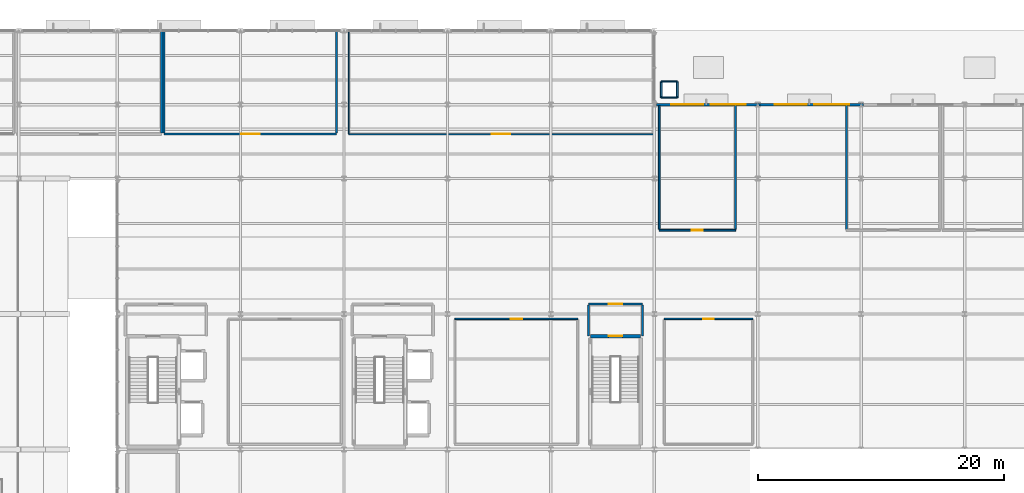
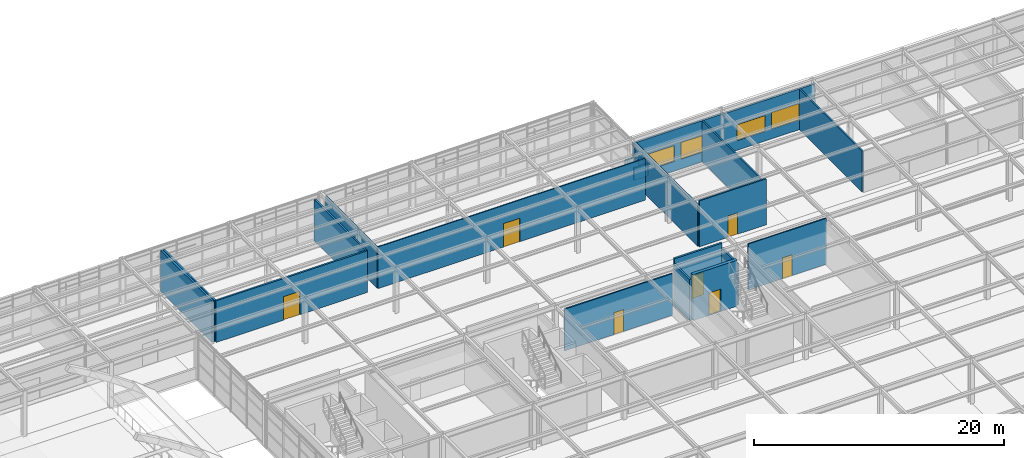
# One storey, part 66 of 82: 22 walls, 7 doors, 4 windows, 11 openings.
"""IFC4 building model written with IfcOpenShell, lengths in metres."""

import ifcopenshell
import ifcopenshell.guid

model = None  # the IFC model being written
_history = None  # IfcOwnerHistory: only IFC2X3 demands one
_inside = {}  # id of a spatial element -> (the spatial element, [elements in it])
_under = {}  # id of a project, library or spatial element -> (it, [spatial elements below it])
_declared = {}  # id of a project -> (the project, [libraries it declares])
_typed = {}  # id of a type object -> (the type object, [elements of that type])
_made_of = {}  # id of a material, layer set ... -> (it, [elements and type objects made of it])


def new_model(schema):
    """Start an empty IFC model of exactly this schema.

    Asked for "IFC4X3", IfcOpenShell would pick the latest addendum, in which some entities
    have other attributes; the version numbers below select the first issue.
    IFC2X3 requires an IfcOwnerHistory on every rooted entity: one is made here for all.
    """
    global model, _history
    if schema == "IFC4X3":
        model = ifcopenshell.file(schema_version=(4, 3, 0, 0))
    else:
        model = ifcopenshell.file(schema=schema)
    _inside.clear()
    _under.clear()
    _declared.clear()
    _typed.clear()
    _made_of.clear()
    _history = None
    if model.schema == "IFC2X3":
        org = make("IfcOrganization", Name="unknown")
        user = make(
            "IfcPersonAndOrganization",
            ThePerson=make("IfcPerson", FamilyName="unknown"),
            TheOrganization=org,
        )
        app = make(
            "IfcApplication",
            ApplicationDeveloper=org,
            Version="unknown",
            ApplicationFullName="unknown",
            ApplicationIdentifier="unknown",
        )
        _history = make(
            "IfcOwnerHistory",
            OwningUser=user,
            OwningApplication=app,
            ChangeAction="ADDED",
            CreationDate=0,
        )
    return model


def make(cls, **values):
    """One entity of the class cls with the attributes given. An attribute that is None is left unset."""
    return model.create_entity(
        cls, **{name: value for name, value in values.items() if value is not None}
    )


def rooted(cls, **values):
    """An entity with a GlobalId (a new one), such as an element, a storey or a relation."""
    return make(cls, GlobalId=ifcopenshell.guid.new(), OwnerHistory=_history, **values)


def si_unit(unit_type, name, prefix=None):
    """IfcSIUnit, for example si_unit("LENGTHUNIT", "METRE", prefix="MILLI")."""
    return make("IfcSIUnit", UnitType=unit_type, Prefix=prefix, Name=name)


def assignment(units):
    """IfcUnitAssignment: the units of a project."""
    return None if units is None else make("IfcUnitAssignment", Units=units)


def point(xyz):
    """IfcCartesianPoint."""
    return None if xyz is None else make("IfcCartesianPoint", Coordinates=xyz)


def direction(xyz):
    """IfcDirection."""
    return None if xyz is None else make("IfcDirection", DirectionRatios=xyz)


def frame(location, z_axis=None, x_axis=None):
    """IfcAxis2Placement3D, a coordinate frame: its origin and axes. An axis left out is left unset."""
    return make(
        "IfcAxis2Placement3D",
        Location=point(location),
        Axis=direction(z_axis),
        RefDirection=direction(x_axis),
    )


def frame_2d(location, x_axis=None):
    """IfcAxis2Placement2D, a coordinate frame in the plane: its origin and x axis."""
    return make(
        "IfcAxis2Placement2D", Location=point(location), RefDirection=direction(x_axis)
    )


def origin():
    """The frame at (0, 0, 0) with its axes left unset."""
    return frame((0.0, 0.0, 0.0))


def place(relative_to, where):
    """IfcLocalPlacement: puts the frame where relative to a parent placement (None: the world)."""
    return make(
        "IfcLocalPlacement", PlacementRelTo=relative_to, RelativePlacement=where
    )


def context(
    kind, dimensions, precision=None, world=None, true_north=None, identifier=None
):
    """IfcGeometricRepresentationContext, for example the 3D "Model" context."""
    return make(
        "IfcGeometricRepresentationContext",
        ContextIdentifier=identifier,
        ContextType=kind,
        CoordinateSpaceDimension=dimensions,
        Precision=precision,
        WorldCoordinateSystem=world,
        TrueNorth=true_north,
    )


def subcontext(parent, identifier, kind, view, scale=None):
    """IfcGeometricRepresentationSubContext, for example "Body" below "Model"."""
    return make(
        "IfcGeometricRepresentationSubContext",
        ContextIdentifier=identifier,
        ContextType=kind,
        ParentContext=parent,
        TargetScale=scale,
        TargetView=view,
    )


def project(units=None, contexts=None):
    """IfcProject with its units and contexts."""
    return rooted(
        "IfcProject",
        Name="project",
        RepresentationContexts=contexts,
        UnitsInContext=assignment(units),
    )


def spatial(cls, under=None, at=None, **own):
    """A site, building, storey or space (cls), placed at a placement, below another one or the project."""
    s = rooted(cls, ObjectPlacement=at, **own)
    if under is not None:
        _under.setdefault(under.id(), (under, []))[1].append(s)
    return s


def profile(cls, at=None, kind="AREA", **sizes):
    """A parametric profile (cls). Its sizes go by their IFC names, for example OverallWidth=200.0."""
    return make(cls, ProfileType=kind, Position=at, **sizes)


def rectangle(**sizes):
    """IfcRectangleProfileDef."""
    return profile("IfcRectangleProfileDef", **sizes)


def extrude(swept, where, along, depth):
    """IfcExtrudedAreaSolid: the profile swept, set in the frame where, extruded along a direction by depth."""
    return make(
        "IfcExtrudedAreaSolid",
        SweptArea=swept,
        Position=where,
        ExtrudedDirection=direction(along),
        Depth=depth,
    )


def shape(context_of_items, identifier, shape_type, items):
    """IfcShapeRepresentation: the items that make up one representation, for example the "Body"."""
    return make(
        "IfcShapeRepresentation",
        ContextOfItems=context_of_items,
        RepresentationIdentifier=identifier,
        RepresentationType=shape_type,
        Items=items,
    )


def material(Name=None, Category=None):
    """IfcMaterial."""
    return make("IfcMaterial", Name=Name, Category=Category)


def layer(
    of_material, thickness, ventilated=None, Name=None, Category=None, Priority=None
):
    """IfcMaterialLayer: one layer of a wall or slab, of a material (None: an air gap)."""
    return make(
        "IfcMaterialLayer",
        Material=of_material,
        LayerThickness=thickness,
        IsVentilated=ventilated,
        Name=Name,
        Category=Category,
        Priority=Priority,
    )


def layer_set(layers, Name=None):
    """IfcMaterialLayerSet."""
    return make("IfcMaterialLayerSet", MaterialLayers=layers, LayerSetName=Name)


def made_of(thing, what):
    """Note that an element or type object is made of a material, layer set ...; save() writes the relation."""
    if what is not None:
        _made_of.setdefault(what.id(), (what, []))[1].append(thing)
    return thing


def type_object(cls, material=None, **own):
    """A type object (cls), such as IfcWallType, which elements share."""
    return made_of(rooted(cls, **own), material)


def element(
    cls,
    number,
    at=None,
    inside=None,
    cuts=None,
    type_object=None,
    material=None,
    context=None,
    identifier="Body",
    shape_type=None,
    held_by="IfcProductDefinitionShape",
    body=None,
    shapes=None,
    **own,
):
    """One element of the class cls, such as IfcWall. Its Tag is "e" and its number.

    at: its placement. inside: the storey or other place that contains it. cuts: it is an
    opening in that element (IfcRelVoidsElement). A single representation is given by context,
    identifier, shape_type and body (its items); several are given by shapes. held_by: the class
    of the entity that holds the representations. save() writes the other relations.
    """
    e = rooted(cls, Tag="e%d" % number, ObjectPlacement=at, **own)
    if body is not None:
        shapes = [shape(context, identifier, shape_type, body)]
    if shapes is not None:
        e.Representation = make(held_by, Representations=shapes)
    if inside is not None:
        _inside.setdefault(inside.id(), (inside, []))[1].append(e)
    if cuts is not None:
        rooted(
            "IfcRelVoidsElement", RelatingBuildingElement=cuts, RelatedOpeningElement=e
        )
    if type_object is not None:
        _typed.setdefault(type_object.id(), (type_object, []))[1].append(e)
    return made_of(e, material)


def fill(opening, filler):
    """IfcRelFillsElement: the door or window that sits in an opening."""
    return rooted(
        "IfcRelFillsElement",
        RelatingOpeningElement=opening,
        RelatedBuildingElement=filler,
    )


def aggregate(whole, parts):
    """IfcRelAggregates: a whole, such as a stair, and the parts it consists of."""
    return rooted("IfcRelAggregates", RelatingObject=whole, RelatedObjects=parts)


def save(model, path):
    """Write the relations noted so far, then the file.

    IfcRelAggregates (storeys below a building ...), IfcRelContainedInSpatialStructure (elements
    in a storey), IfcRelDefinesByType, IfcRelAssociatesMaterial and IfcRelDeclares: one each for
    every whole, place, type object, material and project.
    """
    for whole, parts in _under.values():
        aggregate(whole, parts)
    for where, things in _inside.values():
        rooted(
            "IfcRelContainedInSpatialStructure",
            RelatedElements=things,
            RelatingStructure=where,
        )
    for kind, things in _typed.values():
        rooted("IfcRelDefinesByType", RelatedObjects=things, RelatingType=kind)
    for what, things in _made_of.values():
        rooted("IfcRelAssociatesMaterial", RelatedObjects=things, RelatingMaterial=what)
    for by, libraries in _declared.values():
        rooted("IfcRelDeclares", RelatingContext=by, RelatedDefinitions=libraries)
    model.write(path)


model = new_model("IFC4")

# Units and contexts
model_context = context("Model", 3, precision=1e-05, world=origin(), true_north=direction((0.0, 1.0)))
body_context = subcontext(model_context, "Body", "Model", "MODEL_VIEW")
ifc_project = project(units=[si_unit("LENGTHUNIT", "METRE"), si_unit("AREAUNIT", "SQUARE_METRE"), si_unit("VOLUMEUNIT", "CUBIC_METRE"), si_unit("PLANEANGLEUNIT", "RADIAN"), si_unit("MASSUNIT", "GRAM", prefix="KILO")], contexts=[model_context])

# Site, building, storey
site_placement = place(None, origin())
site = spatial("IfcSite", under=ifc_project, at=site_placement, CompositionType="ELEMENT")
building_placement = place(site_placement, origin())
building = spatial("IfcBuilding", under=site, at=building_placement, Name="Sitalva Quay Ferry Terminal", CompositionType="ELEMENT")
storey_placement = place(building_placement, frame((0.0, 0.0, 5.39990234375)))
storey = spatial("IfcBuildingStorey", under=building, at=storey_placement, Name="L02", CompositionType="ELEMENT", Elevation=5.39990234375)

# Wall, opening, door
ifc_material_1 = material(Name="Concrete C40/50", Category="concrete")
ifc_layer_1 = layer(ifc_material_1, 0.300048828125)
ifc_layer_set_1 = layer_set([ifc_layer_1], Name="Concrete C40/50")
wall_type_1 = type_object("IfcWallType", Name="Wall_CoreShear_300", PredefinedType="SHEAR", material=ifc_layer_set_1)
wall_1_placement = place(storey_placement, frame((112.39990234375, 87.199951171875, 0.0), z_axis=(0.0, 0.0, 1.0), x_axis=(1.0, 0.0, 0.0)))
wall_1 = element("IfcWall", 1, at=wall_1_placement, inside=storey, type_object=wall_type_1, Name="Core C4 L02 north shear wall", PredefinedType="SHEAR", context=body_context, shape_type="SweptSolid", body=[
    extrude(rectangle(XDim=4.10009765625, YDim=0.300048828125, at=frame_2d((2.050048828125, 0.0))), origin(), (0.0, 0.0, 1.0), 4.5),
])
opening_1_placement = place(wall_1_placement, frame((1.5, 0.0, 0.0)))
opening_1 = element("IfcOpeningElement", 2, at=opening_1_placement, cuts=wall_1, Name="Opening D-L02-012", PredefinedType="OPENING", context=body_context, shape_type="SweptSolid", body=[
    extrude(rectangle(XDim=1.10009765625, YDim=2.199951171875, at=frame_2d((0.550048828125, 1.10009765625))), frame((0.0, 0.159912109375, 0.0), z_axis=(0.0, -1.0, 0.0), x_axis=(1.0, 0.0, 0.0)), (0.0, 0.0, 1.0), 0.320068359375),
])
ifc_material_2 = material(Name="Galvanised Steel Fire Door", Category="steel")
door_type_1 = type_object("IfcDoorType", Name="Door_CoreExit_1100x2200", OperationType="SINGLE_SWING_LEFT", PredefinedType="DOOR", material=ifc_material_2)
door_1_placement = place(opening_1_placement, origin())
door_1 = element("IfcDoor", 3, at=door_1_placement, inside=storey, type_object=door_type_1, Name="DOOR-D-L02-012 Protected stair ST-04 door D-L02-012", OperationType="SINGLE_SWING_RIGHT", OverallHeight=2.199951171875, OverallWidth=1.10009765625, PredefinedType="DOOR", context=body_context, shape_type="SweptSolid", body=[
    extrude(rectangle(XDim=1.10009765625, YDim=2.199951171875, at=frame_2d((0.550048828125, 1.10009765625))), frame((0.0, 0.02490234375, 0.0), z_axis=(0.0, -1.0, 0.0), x_axis=(1.0, 0.0, 0.0)), (0.0, 0.0, 1.0), 0.050048828125),
])
fill(opening_1, door_1)

# Wall, openings, windows
ifc_material_3 = material(Name="Architectural Concrete C40/50", Category="concrete")
ifc_layer_2 = layer(ifc_material_3, 0.18994140625)
ifc_layer_set_2 = layer_set([ifc_layer_2], Name="Architectural Concrete C40/50")
wall_type_2 = type_object("IfcWallType", Name="Wall_ExtSpandrel_190", PredefinedType="SOLIDWALL", material=ifc_layer_set_2)
wall_2_placement = place(storey_placement, frame((117.76953125, 106.0, 0.0), z_axis=(0.0, 0.0, 1.0), x_axis=(1.0, 0.0, 0.0)))
wall_2 = element("IfcWall", 4, at=wall_2_placement, inside=storey, type_object=wall_type_2, Name="L02 north-east horizontal ribbon facade EW-L02-168", PredefinedType="SOLIDWALL", context=body_context, shape_type="SweptSolid", body=[
    extrude(rectangle(XDim=8.411865234375, YDim=0.18994140625, at=frame_2d((4.2060546875, 0.0))), origin(), (0.0, 0.0, 1.0), 4.0380859375),
])
opening_2_placement = place(wall_2_placement, frame((1.21044921875, 0.0, 0.949951171875)))
opening_2 = element("IfcOpeningElement", 5, at=opening_2_placement, cuts=wall_2, Name="Opening WN-L02-044", PredefinedType="OPENING", context=body_context, shape_type="SweptSolid", body=[
    extrude(rectangle(XDim=2.60009765625, YDim=1.550048828125, at=frame_2d((1.300048828125, 0.77490234375))), frame((0.0, 0.10498046875, 0.0), z_axis=(0.0, -1.0, 0.0), x_axis=(1.0, 0.0, 0.0)), (0.0, 0.0, 1.0), 0.2099609375),
])
opening_3_placement = place(wall_2_placement, frame((4.410400390625, 0.0, 0.949951171875)))
opening_3 = element("IfcOpeningElement", 6, at=opening_3_placement, cuts=wall_2, Name="Opening WN-L02-045", PredefinedType="OPENING", context=body_context, shape_type="SweptSolid", body=[
    extrude(rectangle(XDim=2.85009765625, YDim=1.6201171875, at=frame_2d((1.425048828125, 0.81005859375))), frame((0.0, 0.10498046875, 0.0), z_axis=(0.0, -1.0, 0.0), x_axis=(1.0, 0.0, 0.0)), (0.0, 0.0, 1.0), 0.2099609375),
])
ifc_material_4 = material(Name="Anodised Aluminium & Low-E Glass", Category="aluminium")
window_type_1 = type_object("IfcWindowType", Name="Win_Admin_2600x1550", PartitioningType="SINGLE_PANEL", PredefinedType="WINDOW", material=ifc_material_4)
window_1_placement = place(opening_2_placement, origin())
window_1 = element("IfcWindow", 7, at=window_1_placement, inside=storey, type_object=window_type_1, Name="L02 north-east ribbon window A WN-L02-044", OverallHeight=1.550048828125, OverallWidth=2.60009765625, PartitioningType="SINGLE_PANEL", PredefinedType="WINDOW", context=body_context, shape_type="SweptSolid", body=[
    extrude(rectangle(XDim=2.60009765625, YDim=1.550048828125, at=frame_2d((1.300048828125, 0.77490234375))), frame((0.0, 0.030029296875, 0.0), z_axis=(0.0, -1.0, 0.0), x_axis=(1.0, 0.0, 0.0)), (0.0, 0.0, 1.0), 0.06005859375),
])
fill(opening_2, window_1)
ifc_material_5 = material(Name="Anodised Aluminium & Low-E Glass", Category="aluminium")
window_type_2 = type_object("IfcWindowType", Name="Win_RibbonD_2850x1620", PartitioningType="SINGLE_PANEL", PredefinedType="WINDOW", material=ifc_material_5)
window_2_placement = place(opening_3_placement, origin())
window_2 = element("IfcWindow", 8, at=window_2_placement, inside=storey, type_object=window_type_2, Name="L02 north-east ribbon window B WN-L02-045", OverallHeight=1.6201171875, OverallWidth=2.85009765625, PartitioningType="SINGLE_PANEL", PredefinedType="WINDOW", context=body_context, shape_type="SweptSolid", body=[
    extrude(rectangle(XDim=2.85009765625, YDim=1.6201171875, at=frame_2d((1.425048828125, 0.81005859375))), frame((0.0, 0.030029296875, 0.0), z_axis=(0.0, -1.0, 0.0), x_axis=(1.0, 0.0, 0.0)), (0.0, 0.0, 1.0), 0.06005859375),
])
fill(opening_3, window_2)

wall_3_placement = place(storey_placement, frame((126.16943359375, 106.0, 0.0), z_axis=(0.0, 0.0, 1.0), x_axis=(1.0, 0.0, 0.0)))
wall_3 = element("IfcWall", 9, at=wall_3_placement, inside=storey, type_object=wall_type_2, Name="L02 north-east horizontal ribbon facade EW-L02-169", PredefinedType="SOLIDWALL", context=body_context, shape_type="SweptSolid", body=[
    extrude(rectangle(XDim=8.412109375, YDim=0.18994140625, at=frame_2d((4.2060546875, 0.0))), origin(), (0.0, 0.0, 1.0), 3.988037109375),
])
opening_4_placement = place(wall_3_placement, frame((1.21044921875, 0.0, 0.949951171875)))
opening_4 = element("IfcOpeningElement", 10, at=opening_4_placement, cuts=wall_3, Name="Opening WN-L02-046", PredefinedType="OPENING", context=body_context, shape_type="SweptSolid", body=[
    extrude(rectangle(XDim=2.60009765625, YDim=1.550048828125, at=frame_2d((1.300048828125, 0.77490234375))), frame((0.0, 0.10498046875, 0.0), z_axis=(0.0, -1.0, 0.0), x_axis=(1.0, 0.0, 0.0)), (0.0, 0.0, 1.0), 0.2099609375),
])
opening_5_placement = place(wall_3_placement, frame((4.410400390625, 0.0, 0.949951171875)))
opening_5 = element("IfcOpeningElement", 11, at=opening_5_placement, cuts=wall_3, Name="Opening WN-L02-047", PredefinedType="OPENING", context=body_context, shape_type="SweptSolid", body=[
    extrude(rectangle(XDim=2.85009765625, YDim=1.6201171875, at=frame_2d((1.425048828125, 0.81005859375))), frame((0.0, 0.10498046875, 0.0), z_axis=(0.0, -1.0, 0.0), x_axis=(1.0, 0.0, 0.0)), (0.0, 0.0, 1.0), 0.2099609375),
])
window_3_placement = place(opening_4_placement, origin())
window_3 = element("IfcWindow", 12, at=window_3_placement, inside=storey, type_object=window_type_1, Name="L02 north-east ribbon window A WN-L02-046", OverallHeight=1.550048828125, OverallWidth=2.60009765625, PartitioningType="SINGLE_PANEL", PredefinedType="WINDOW", context=body_context, shape_type="SweptSolid", body=[
    extrude(rectangle(XDim=2.60009765625, YDim=1.550048828125, at=frame_2d((1.300048828125, 0.77490234375))), frame((0.0, 0.030029296875, 0.0), z_axis=(0.0, -1.0, 0.0), x_axis=(1.0, 0.0, 0.0)), (0.0, 0.0, 1.0), 0.06005859375),
])
fill(opening_4, window_3)
window_4_placement = place(opening_5_placement, origin())
window_4 = element("IfcWindow", 13, at=window_4_placement, inside=storey, type_object=window_type_2, Name="L02 north-east ribbon window B WN-L02-047", OverallHeight=1.6201171875, OverallWidth=2.85009765625, PartitioningType="SINGLE_PANEL", PredefinedType="WINDOW", context=body_context, shape_type="SweptSolid", body=[
    extrude(rectangle(XDim=2.85009765625, YDim=1.6201171875, at=frame_2d((1.425048828125, 0.81005859375))), frame((0.0, 0.030029296875, 0.0), z_axis=(0.0, -1.0, 0.0), x_axis=(1.0, 0.0, 0.0)), (0.0, 0.0, 1.0), 0.06005859375),
])
fill(opening_5, window_4)

# Wall, opening, door
ifc_material_6 = material(Name="Fire-Rated Blockwork C25/30", Category="masonry")
ifc_layer_3 = layer(ifc_material_6, 0.179931640625)
ifc_layer_set_3 = layer_set([ifc_layer_3], Name="Fire-Rated Blockwork C25/30")
wall_type_3 = type_object("IfcWallType", Name="Wall_FireLobby_180", PredefinedType="SOLIDWALL", material=ifc_layer_set_3)
wall_4_placement = place(storey_placement, frame((112.25, 89.800048828125, 0.0), z_axis=(0.0, 0.0, 1.0), x_axis=(1.0, 0.0, 0.0)))
wall_4 = element("IfcWall", 14, at=wall_4_placement, inside=storey, type_object=wall_type_3, Name="Firefighting & Lift Lobby C4 N wall IW-L02-0034", PredefinedType="SOLIDWALL", context=body_context, shape_type="SweptSolid", body=[
    extrude(rectangle(XDim=4.39990234375, YDim=0.179931640625, at=frame_2d((2.199951171875, 0.0))), origin(), (0.0, 0.0, 1.0), 4.5),
])
opening_6_placement = place(wall_4_placement, frame((1.64990234375, 0.0, 0.0)))
opening_6 = element("IfcOpeningElement", 15, at=opening_6_placement, cuts=wall_4, Name="Opening ID-L02-012", PredefinedType="OPENING", context=body_context, shape_type="SweptSolid", body=[
    extrude(rectangle(XDim=1.10009765625, YDim=2.199951171875, at=frame_2d((0.550048828125, 1.10009765625))), frame((0.0, 0.099853515625, 0.0), z_axis=(0.0, -1.0, 0.0), x_axis=(1.0, 0.0, 0.0)), (0.0, 0.0, 1.0), 0.199951171875),
])
ifc_material_7 = material(Name="Steel Fire Door", Category="steel")
door_type_2 = type_object("IfcDoorType", Name="Door_FireLobby_1100x2200", OperationType="SINGLE_SWING_LEFT", PredefinedType="DOOR", material=ifc_material_7)
door_2_placement = place(opening_6_placement, origin())
door_2 = element("IfcDoor", 16, at=door_2_placement, inside=storey, type_object=door_type_2, Name="IDOOR-ID-L02-012 Firefighting & Lift Lobby C4 entrance ID-L02-012", OperationType="SINGLE_SWING_RIGHT", OverallHeight=2.199951171875, OverallWidth=1.10009765625, PredefinedType="DOOR", context=body_context, shape_type="SweptSolid", body=[
    extrude(rectangle(XDim=1.10009765625, YDim=2.199951171875, at=frame_2d((0.550048828125, 1.10009765625))), frame((0.0, 0.02490234375, 0.0), z_axis=(0.0, -1.0, 0.0), x_axis=(1.0, 0.0, 0.0)), (0.0, 0.0, 1.0), 0.050048828125),
])
fill(opening_6, door_2)

# Walls
for number, where, z_axis, x_axis, name in (
    (17, (112.25, 87.199951171875, 0.0), (0.0, 0.0, 1.0), (0.0, 1.0, 0.0), "Firefighting & Lift Lobby C4 W wall IW-L02-0035"),
    (18, (116.64990234375, 87.199951171875, 0.0), (0.0, 0.0, 1.0), (0.0, 1.0, 0.0), "Firefighting & Lift Lobby C4 E wall IW-L02-0036"),
):
    element("IfcWall", number, at=place(storey_placement, frame(where, z_axis=z_axis, x_axis=x_axis)), inside=storey, type_object=wall_type_3, Name=name, PredefinedType="SOLIDWALL", context=body_context, shape_type="SweptSolid", body=[
        extrude(rectangle(XDim=2.510009765625, YDim=0.179931640625, at=frame_2d((1.2548828125, 0.0))), origin(), (0.0, 0.0, 1.0), 4.0400390625),
    ])
wall_5_placement = place(storey_placement, frame((77.60009765625, 103.68994140625, 0.0), z_axis=(0.0, 0.0, 1.0), x_axis=(0.0, 1.0, 0.0)))
element("IfcWall", 19, at=wall_5_placement, inside=storey, type_object=wall_type_3, Name="Food Court Commercial Kitchen E wall IW-L02-0233", PredefinedType="SOLIDWALL", context=body_context, shape_type="SweptSolid", body=[
    extrude(rectangle(XDim=8.22998046875, YDim=0.179931640625, at=frame_2d((4.114990234375, 0.0))), origin(), (0.0, 0.0, 1.0), 4.0400390625),
])

# Wall, opening, door
ifc_material_8 = material(Name="Framed Acoustic Glass Partition", Category="glass")
ifc_layer_4 = layer(ifc_material_8, 0.10009765625)
ifc_layer_set_4 = layer_set([ifc_layer_4], Name="Framed Acoustic Glass Partition")
wall_type_4 = type_object("IfcWallType", Name="Wall_GlazedScreen_100", PredefinedType="MOVABLE", material=ifc_layer_set_4)
wall_6_placement = place(storey_placement, frame((92.800048828125, 103.60009765625, 0.0), z_axis=(0.0, 0.0, 1.0), x_axis=(1.0, 0.0, 0.0)))
wall_6 = element("IfcWall", 20, at=wall_6_placement, inside=storey, type_object=wall_type_4, Name="Executive Business & Ferry Club Lounge S wall IW-L02-0237", PredefinedType="MOVABLE", context=body_context, shape_type="SweptSolid", body=[
    extrude(rectangle(XDim=24.719970703125, YDim=0.10009765625, at=frame_2d((12.35986328125, 0.0))), origin(), (0.0, 0.0, 1.0), 4.0830078125),
])
opening_7_placement = place(wall_6_placement, frame((11.610107421875, 0.0, 0.0)))
opening_7 = element("IfcOpeningElement", 21, at=opening_7_placement, cuts=wall_6, Name="Opening ID-L02-084", PredefinedType="OPENING", context=body_context, shape_type="SweptSolid", body=[
    extrude(rectangle(XDim=1.5, YDim=2.300048828125, at=frame_2d((0.75, 1.14990234375))), frame((0.0, 0.06005859375, 0.0), z_axis=(0.0, -1.0, 0.0), x_axis=(1.0, 0.0, 0.0)), (0.0, 0.0, 1.0), 0.1201171875),
])
ifc_material_9 = material(Name="Teak & Bronze Glazed Door", Category="wood")
door_type_3 = type_object("IfcDoorType", Name="Door_VIP_1500x2300", OperationType="DOUBLE_DOOR_SINGLE_SWING", PredefinedType="DOOR", material=ifc_material_9)
door_3_placement = place(opening_7_placement, origin())
door_3 = element("IfcDoor", 22, at=door_3_placement, inside=storey, type_object=door_type_3, Name="IDOOR-ID-L02-084 Executive Business & Ferry Club Lounge entrance ID-L02-084", OperationType="DOUBLE_DOOR_SINGLE_SWING", OverallHeight=2.300048828125, OverallWidth=1.5, PredefinedType="DOOR", context=body_context, shape_type="SweptSolid", body=[
    extrude(rectangle(XDim=1.5, YDim=2.300048828125, at=frame_2d((0.75, 1.14990234375))), frame((0.0, 0.02490234375, 0.0), z_axis=(0.0, -1.0, 0.0), x_axis=(1.0, 0.0, 0.0)), (0.0, 0.0, 1.0), 0.050048828125),
])
fill(opening_7, door_3)

# Wall
wall_7_placement = place(storey_placement, frame((92.800048828125, 103.64990234375, 0.0), z_axis=(0.0, 0.0, 1.0), x_axis=(0.0, 1.0, 0.0)))
element("IfcWall", 23, at=wall_7_placement, inside=storey, type_object=wall_type_4, Name="Executive Business & Ferry Club Lounge W wall IW-L02-0238", PredefinedType="MOVABLE", context=body_context, shape_type="SweptSolid", body=[
    extrude(rectangle(XDim=8.27001953125, YDim=0.10009765625, at=frame_2d((4.135009765625, 0.0))), origin(), (0.0, 0.0, 1.0), 4.0400390625),
])

# Wall, opening, door
ifc_material_10 = material(Name="Lightweight Steel-Stud Gypsum Partition", Category="steel")
ifc_layer_5 = layer(ifc_material_10, 0.114990234375)
ifc_layer_set_5 = layer_set([ifc_layer_5], Name="Lightweight Steel-Stud Gypsum Partition")
wall_type_5 = type_object("IfcWallType", Name="Wall_Partition_115", PredefinedType="PARTITIONING", material=ifc_layer_set_5)
wall_8_placement = place(storey_placement, frame((118.39990234375, 88.60009765625, 0.0), z_axis=(0.0, 0.0, 1.0), x_axis=(1.0, 0.0, 0.0)))
wall_8 = element("IfcWall", 24, at=wall_8_placement, inside=storey, type_object=wall_type_5, Name="Deck Crew Equipment & Radio Store N wall IW-L02-0262", PredefinedType="PARTITIONING", context=body_context, shape_type="SweptSolid", body=[
    extrude(rectangle(XDim=7.2001953125, YDim=0.114990234375, at=frame_2d((3.60009765625, 0.0))), origin(), (0.0, 0.0, 1.0), 4.5),
])
opening_8_placement = place(wall_8_placement, frame((3.159912109375, 0.0, 0.0)))
opening_8 = element("IfcOpeningElement", 25, at=opening_8_placement, cuts=wall_8, Name="Opening ID-L02-092", PredefinedType="OPENING", context=body_context, shape_type="SweptSolid", body=[
    extrude(rectangle(XDim=0.8798828125, YDim=2.050048828125, at=frame_2d((0.43994140625, 1.02490234375))), frame((0.0, 0.0673828125, 0.0), z_axis=(0.0, -1.0, 0.0), x_axis=(1.0, 0.0, 0.0)), (0.0, 0.0, 1.0), 0.135009765625),
])
ifc_material_11 = material(Name="Steel Riser Access Fire Door", Category="steel")
door_type_4 = type_object("IfcDoorType", Name="Door_Riser_880x2050", OperationType="SINGLE_SWING_LEFT", PredefinedType="DOOR", material=ifc_material_11)
door_4_placement = place(opening_8_placement, origin())
door_4 = element("IfcDoor", 26, at=door_4_placement, inside=storey, type_object=door_type_4, Name="IDOOR-ID-L02-092 Deck Crew Equipment & Radio Store entrance ID-L02-092", OperationType="SINGLE_SWING_RIGHT", OverallHeight=2.050048828125, OverallWidth=0.8798828125, PredefinedType="DOOR", context=body_context, shape_type="SweptSolid", body=[
    extrude(rectangle(XDim=0.8798828125, YDim=2.050048828125, at=frame_2d((0.43994140625, 1.02490234375))), frame((0.0, 0.02490234375, 0.0), z_axis=(0.0, -1.0, 0.0), x_axis=(1.0, 0.0, 0.0)), (0.0, 0.0, 1.0), 0.050048828125),
])
fill(opening_8, door_4)

ifc_material_12 = material(Name="Steel-Stud Gypsum Partition", Category="steel")
ifc_layer_6 = layer(ifc_material_12, 0.125)
ifc_layer_set_6 = layer_set([ifc_layer_6], Name="Steel-Stud Gypsum Partition")
wall_type_6 = type_object("IfcWallType", Name="Wall_Partition_125", PredefinedType="PARTITIONING", material=ifc_layer_set_6)
wall_9_placement = place(storey_placement, frame((101.39990234375, 88.60009765625, 0.0), z_axis=(0.0, 0.0, 1.0), x_axis=(1.0, 0.0, 0.0)))
wall_9 = element("IfcWall", 27, at=wall_9_placement, inside=storey, type_object=wall_type_6, Name="Ferry Crew Mess & Rest Suite N wall IW-L02-0244", PredefinedType="PARTITIONING", context=body_context, shape_type="SweptSolid", body=[
    extrude(rectangle(XDim=10.0, YDim=0.125, at=frame_2d((5.0, 0.0))), origin(), (0.0, 0.0, 1.0), 4.0830078125),
])
opening_9_placement = place(wall_9_placement, frame((4.5400390625, 0.0, 0.0)))
opening_9 = element("IfcOpeningElement", 28, at=opening_9_placement, cuts=wall_9, Name="Opening ID-L02-086", PredefinedType="OPENING", context=body_context, shape_type="SweptSolid", body=[
    extrude(rectangle(XDim=0.919921875, YDim=2.14990234375, at=frame_2d((0.4599609375, 1.074951171875))), frame((0.0, 0.072509765625, 0.0), z_axis=(0.0, -1.0, 0.0), x_axis=(1.0, 0.0, 0.0)), (0.0, 0.0, 1.0), 0.14501953125),
])
ifc_material_13 = material(Name="Acoustic Timber Door", Category="wood")
door_type_5 = type_object("IfcDoorType", Name="Door_Crew_920x2150", OperationType="SINGLE_SWING_LEFT", PredefinedType="DOOR", material=ifc_material_13)
door_5_placement = place(opening_9_placement, origin())
door_5 = element("IfcDoor", 29, at=door_5_placement, inside=storey, type_object=door_type_5, Name="IDOOR-ID-L02-086 Ferry Crew Mess & Rest Suite entrance ID-L02-086", OperationType="SINGLE_SWING_RIGHT", OverallHeight=2.14990234375, OverallWidth=0.919921875, PredefinedType="DOOR", context=body_context, shape_type="SweptSolid", body=[
    extrude(rectangle(XDim=0.919921875, YDim=2.14990234375, at=frame_2d((0.4599609375, 1.074951171875))), frame((0.0, 0.02490234375, 0.0), z_axis=(0.0, -1.0, 0.0), x_axis=(1.0, 0.0, 0.0)), (0.0, 0.0, 1.0), 0.050048828125),
])
fill(opening_9, door_5)

ifc_material_14 = material(Name="High-Acoustic Twin-Stud Partition", Category="gypsum")
ifc_layer_7 = layer(ifc_material_14, 0.1650390625)
ifc_layer_set_7 = layer_set([ifc_layer_7], Name="High-Acoustic Twin-Stud Partition")
wall_type_7 = type_object("IfcWallType", Name="Wall_Partition_165", PredefinedType="PARTITIONING", material=ifc_layer_set_7)
wall_10_placement = place(storey_placement, frame((77.800048828125, 103.60009765625, 0.0), z_axis=(0.0, 0.0, 1.0), x_axis=(1.0, 0.0, 0.0)))
wall_10 = element("IfcWall", 30, at=wall_10_placement, inside=storey, type_object=wall_type_7, Name="Family & Mothers Quiet Lounge S wall IW-L02-0234", PredefinedType="PARTITIONING", context=body_context, shape_type="SweptSolid", body=[
    extrude(rectangle(XDim=14.0, YDim=0.1650390625, at=frame_2d((7.0, 0.0))), origin(), (0.0, 0.0, 1.0), 4.0830078125),
])
opening_10_placement = place(wall_10_placement, frame((6.25, 0.0, 0.0)))
opening_10 = element("IfcOpeningElement", 31, at=opening_10_placement, cuts=wall_10, Name="Opening ID-L02-083", PredefinedType="OPENING", context=body_context, shape_type="SweptSolid", body=[
    extrude(rectangle(XDim=1.5, YDim=2.300048828125, at=frame_2d((0.75, 1.14990234375))), frame((0.0, 0.092529296875, 0.0), z_axis=(0.0, -1.0, 0.0), x_axis=(1.0, 0.0, 0.0)), (0.0, 0.0, 1.0), 0.18505859375),
])
door_6_placement = place(opening_10_placement, origin())
door_6 = element("IfcDoor", 32, at=door_6_placement, inside=storey, type_object=door_type_3, Name="IDOOR-ID-L02-083 Family & Mothers Quiet Lounge entrance ID-L02-083", OperationType="DOUBLE_DOOR_SINGLE_SWING", OverallHeight=2.300048828125, OverallWidth=1.5, PredefinedType="DOOR", context=body_context, shape_type="SweptSolid", body=[
    extrude(rectangle(XDim=1.5, YDim=2.300048828125, at=frame_2d((0.75, 1.14990234375))), frame((0.0, 0.02490234375, 0.0), z_axis=(0.0, -1.0, 0.0), x_axis=(1.0, 0.0, 0.0)), (0.0, 0.0, 1.0), 0.050048828125),
])
fill(opening_10, door_6)

# Walls
for number, where, z_axis, x_axis, name in (
    (33, (77.800048828125, 103.6826171875, 0.0), (0.0, 0.0, 1.0), (0.0, 1.0, 0.0), "Family & Mothers Quiet Lounge W wall IW-L02-0235"),
    (34, (91.800048828125, 103.6826171875, 0.0), (0.0, 0.0, 1.0), (0.0, 1.0, 0.0), "Family & Mothers Quiet Lounge E wall IW-L02-0236"),
):
    element("IfcWall", number, at=place(storey_placement, frame(where, z_axis=z_axis, x_axis=x_axis)), inside=storey, type_object=wall_type_7, Name=name, PredefinedType="PARTITIONING", context=body_context, shape_type="SweptSolid", body=[
        extrude(rectangle(XDim=8.2373046875, YDim=0.1650390625, at=frame_2d((4.11865234375, 0.0))), origin(), (0.0, 0.0, 1.0), 4.0400390625),
    ])
ifc_material_15 = material(Name="Concrete C35/45", Category="concrete")
ifc_layer_8 = layer(ifc_material_15, 0.14990234375)
ifc_layer_set_8 = layer_set([ifc_layer_8], Name="Concrete C35/45")
wall_type_8 = type_object("IfcWallType", Name="Wall_RiserShaft_150", PredefinedType="PLUMBINGWALL", material=ifc_layer_set_8)
for number, where, z_axis, x_axis, name in (
    (35, (118.175048828125, 106.574951171875, -0.099853515625), (0.0, 0.0, 1.0), (1.0, 0.0, 0.0), "L02 service riser 002 wall S"),
    (36, (118.175048828125, 107.875, -0.099853515625), (0.0, 0.0, 1.0), (1.0, 0.0, 0.0), "L02 service riser 002 wall N"),
    (37, (118.175048828125, 106.574951171875, -0.099853515625), (0.0, 0.0, 1.0), (0.0, 1.0, 0.0), "L02 service riser 002 wall W"),
    (38, (119.47509765625, 106.574951171875, -0.099853515625), (0.0, 0.0, 1.0), (0.0, 1.0, 0.0), "L02 service riser 002 wall E"),
):
    element("IfcWall", number, at=place(storey_placement, frame(where, z_axis=z_axis, x_axis=x_axis)), inside=storey, type_object=wall_type_8, Name=name, PredefinedType="PLUMBINGWALL", context=body_context, shape_type="SweptSolid", body=[
        extrude(rectangle(XDim=1.300048828125, YDim=0.14990234375, at=frame_2d((0.64990234375, 0.0))), origin(), (0.0, 0.0, 1.0), 1.199951171875),
    ])

# Wall, opening, door
ifc_material_16 = material(Name="Moisture-Resistant Cement Board Partition", Category="gypsum")
ifc_layer_9 = layer(ifc_material_16, 0.139892578125)
ifc_layer_set_9 = layer_set([ifc_layer_9], Name="Moisture-Resistant Cement Board Partition")
wall_type_9 = type_object("IfcWallType", Name="Wall_WetRoom_140", PredefinedType="PARTITIONING", material=ifc_layer_set_9)
wall_11_placement = place(storey_placement, frame((118.0, 95.800048828125, 0.0), z_axis=(0.0, 0.0, 1.0), x_axis=(1.0, 0.0, 0.0)))
wall_11 = element("IfcWall", 39, at=wall_11_placement, inside=storey, type_object=wall_type_9, Name="L02 East Male Toilets S wall IW-L02-0247", PredefinedType="PARTITIONING", context=body_context, shape_type="SweptSolid", body=[
    extrude(rectangle(XDim=6.199951171875, YDim=0.139892578125, at=frame_2d((3.10009765625, 0.0))), origin(), (0.0, 0.0, 1.0), 4.5),
])
opening_11_placement = place(wall_11_placement, frame((2.64990234375, 0.0, 0.0)))
opening_11 = element("IfcOpeningElement", 40, at=opening_11_placement, cuts=wall_11, Name="Opening ID-L02-087", PredefinedType="OPENING", context=body_context, shape_type="SweptSolid", body=[
    extrude(rectangle(XDim=0.89990234375, YDim=2.10009765625, at=frame_2d((0.449951171875, 1.050048828125))), frame((0.0, 0.079833984375, 0.0), z_axis=(0.0, -1.0, 0.0), x_axis=(1.0, 0.0, 0.0)), (0.0, 0.0, 1.0), 0.159912109375),
])
ifc_material_17 = material(Name="High-Pressure Laminate Door", Category="wood")
door_type_6 = type_object("IfcDoorType", Name="Door_WC_900x2100", OperationType="SINGLE_SWING_LEFT", PredefinedType="DOOR", material=ifc_material_17)
door_7_placement = place(opening_11_placement, origin())
door_7 = element("IfcDoor", 41, at=door_7_placement, inside=storey, type_object=door_type_6, Name="IDOOR-ID-L02-087 L02 East Male Toilets entrance ID-L02-087", OperationType="SINGLE_SWING_LEFT", OverallHeight=2.10009765625, OverallWidth=0.89990234375, PredefinedType="DOOR", context=body_context, shape_type="SweptSolid", body=[
    extrude(rectangle(XDim=0.89990234375, YDim=2.10009765625, at=frame_2d((0.449951171875, 1.050048828125))), frame((0.0, 0.02490234375, 0.0), z_axis=(0.0, -1.0, 0.0), x_axis=(1.0, 0.0, 0.0)), (0.0, 0.0, 1.0), 0.050048828125),
])
fill(opening_11, door_7)

# Walls
for number, where, z_axis, x_axis, name in (
    (42, (118.0, 95.8701171875, 0.0), (0.0, 0.0, 1.0), (0.0, 1.0, 0.0), "L02 East Male Toilets W wall IW-L02-0248"),
    (43, (124.199951171875, 95.8701171875, 0.0), (0.0, 0.0, 1.0), (0.0, 1.0, 0.0), "L02 East Male Toilets E wall IW-L02-0249"),
):
    element("IfcWall", number, at=place(storey_placement, frame(where, z_axis=z_axis, x_axis=x_axis)), inside=storey, type_object=wall_type_9, Name=name, PredefinedType="PARTITIONING", context=body_context, shape_type="SweptSolid", body=[
        extrude(rectangle(XDim=10.0498046875, YDim=0.139892578125, at=frame_2d((5.02490234375, 0.0))), origin(), (0.0, 0.0, 1.0), 4.0400390625),
    ])
wall_12_placement = place(storey_placement, frame((133.199951171875, 95.8701171875, 0.0), z_axis=(0.0, 0.0, 1.0), x_axis=(0.0, 1.0, 0.0)))
element("IfcWall", 44, at=wall_12_placement, inside=storey, type_object=wall_type_9, Name="L02 East Female Toilets W wall IW-L02-0251", PredefinedType="PARTITIONING", context=body_context, shape_type="SweptSolid", body=[
    extrude(rectangle(XDim=10.0498046875, YDim=0.139892578125, at=frame_2d((5.02490234375, 0.0))), origin(), (0.0, 0.0, 1.0), 3.989990234375),
])

save(model, "model.ifc")
